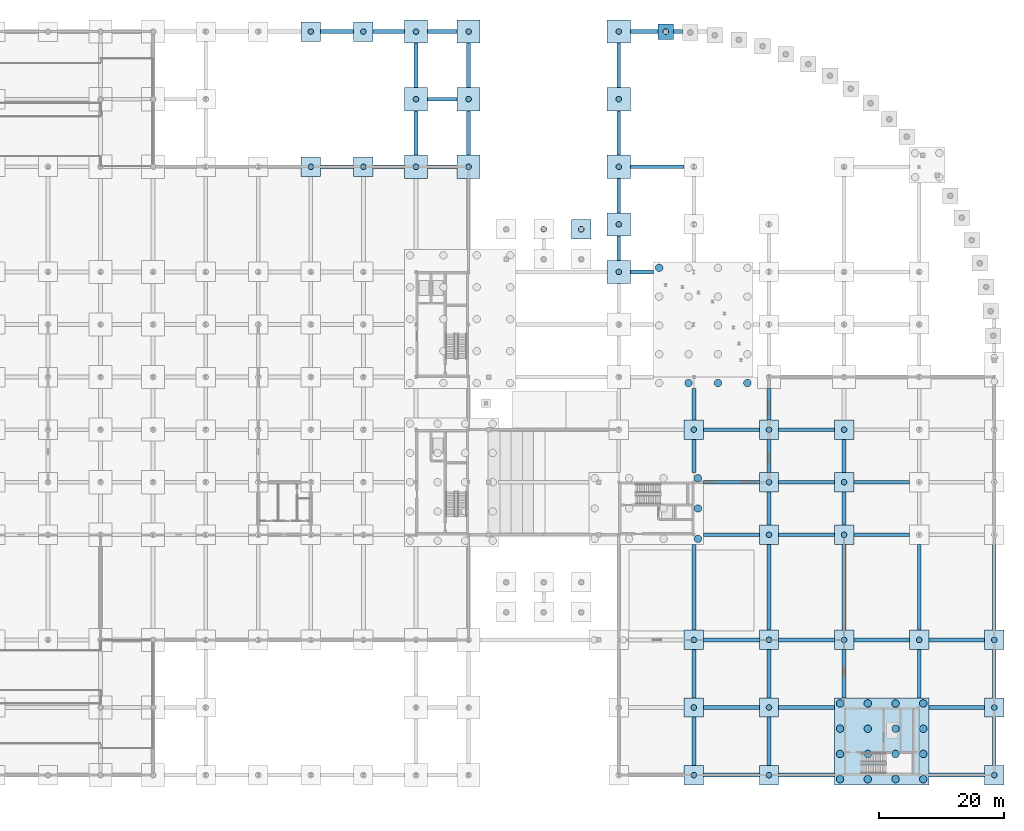
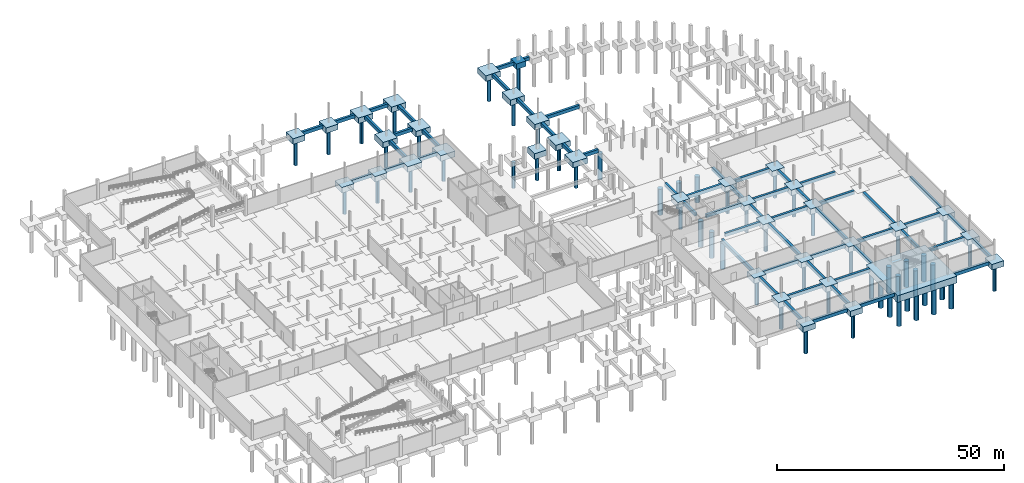
# One storey, part 5 of 36: 93 footings, 59 piles.
"""IFC4 building model written with IfcOpenShell, lengths in metres."""

from ifc_helpers import new_model, si_unit, direction, frame, origin, origin_2d, place, context, subcontext, project, spatial, rectangle, circle, extrude, material, material_profile, profile_set, type_object, element, save


model = new_model("IFC4")

# Units and contexts
model_context = context("Model", 3, precision=1e-05, world=origin(), true_north=direction((0.0, 1.0)))
body_context = subcontext(model_context, "Body", "Model", "MODEL_VIEW")
ifc_project = project(units=[si_unit("LENGTHUNIT", "METRE"), si_unit("AREAUNIT", "SQUARE_METRE"), si_unit("VOLUMEUNIT", "CUBIC_METRE"), si_unit("PLANEANGLEUNIT", "RADIAN"), si_unit("MASSUNIT", "GRAM", prefix="KILO"), si_unit("THERMODYNAMICTEMPERATUREUNIT", "KELVIN"), si_unit("POWERUNIT", "WATT")], contexts=[model_context])

# Site, building, storey
site_placement = place(None, origin())
site = spatial("IfcSite", under=ifc_project, at=site_placement, CompositionType="ELEMENT")
building_placement = place(site_placement, origin())
building = spatial("IfcBuilding", under=site, at=building_placement, Name="Tembeka Court Mobility Hub", CompositionType="ELEMENT")
storey_placement = place(building_placement, frame((0.0, 0.0, -5.39990234375)))
storey = spatial("IfcBuildingStorey", under=building, at=storey_placement, Name="B1", CompositionType="ELEMENT", Elevation=-5.39990234375)

# Footings
ifc_material = material(Name="Concrete C40/50", Category="concrete")
footing_type_1 = type_object("IfcFootingType", Name="FT-GB01", PredefinedType="FOOTING_BEAM", material=ifc_material)
for number, where, z_axis, x_axis, name in (
    (1, (134.39990234375, 0.0, -0.900146484375), (0.0, 0.0, 1.0), (1.0, 0.0, 0.0), "Ground tie beam GB01 X-013"),
    (2, (146.39990234375, 0.0, -0.900146484375), (0.0, 0.0, 1.0), (1.0, 0.0, 0.0), "Ground tie beam GB01 X-014"),
    (3, (170.39990234375, 0.0, -0.900146484375), (0.0, 0.0, 1.0), (1.0, 0.0, 0.0), "Ground tie beam GB01 X-015"),
    (4, (134.39990234375, 10.800048828125, -0.900146484375), (0.0, 0.0, 1.0), (1.0, 0.0, 0.0), "Ground tie beam GB01 X-023"),
    (5, (146.39990234375, 10.800048828125, -0.900146484375), (0.0, 0.0, 1.0), (1.0, 0.0, 0.0), "Ground tie beam GB01 X-024"),
    (6, (170.39990234375, 10.800048828125, -0.900146484375), (0.0, 0.0, 1.0), (1.0, 0.0, 0.0), "Ground tie beam GB01 X-025"),
    (7, (134.39990234375, 21.60009765625, -0.900146484375), (0.0, 0.0, 1.0), (1.0, 0.0, 0.0), "Ground tie beam GB01 X-039"),
    (8, (146.39990234375, 21.60009765625, -0.900146484375), (0.0, 0.0, 1.0), (1.0, 0.0, 0.0), "Ground tie beam GB01 X-040"),
    (9, (158.39990234375, 21.60009765625, -0.900146484375), (0.0, 0.0, 1.0), (1.0, 0.0, 0.0), "Ground tie beam GB01 X-041"),
    (10, (170.39990234375, 21.60009765625, -0.900146484375), (0.0, 0.0, 1.0), (1.0, 0.0, 0.0), "Ground tie beam GB01 X-042"),
    (11, (134.39990234375, 38.39990234375, -0.900146484375), (0.0, 0.0, 1.0), (1.0, 0.0, 0.0), "Ground tie beam GB01 X-053"),
    (12, (146.39990234375, 38.39990234375, -0.900146484375), (0.0, 0.0, 1.0), (1.0, 0.0, 0.0), "Ground tie beam GB01 X-054"),
    (13, (158.39990234375, 38.39990234375, -0.900146484375), (0.0, 0.0, 1.0), (1.0, 0.0, 0.0), "Ground tie beam GB01 X-055"),
    (14, (134.39990234375, 46.800048828125, -0.900146484375), (0.0, 0.0, 1.0), (1.0, 0.0, 0.0), "Ground tie beam GB01 X-067"),
    (15, (146.39990234375, 46.800048828125, -0.900146484375), (0.0, 0.0, 1.0), (1.0, 0.0, 0.0), "Ground tie beam GB01 X-068"),
    (16, (158.39990234375, 46.800048828125, -0.900146484375), (0.0, 0.0, 1.0), (1.0, 0.0, 0.0), "Ground tie beam GB01 X-069"),
    (17, (134.39990234375, 55.199951171875, -0.900146484375), (0.0, 0.0, 1.0), (1.0, 0.0, 0.0), "Ground tie beam GB01 X-082"),
    (18, (146.39990234375, 55.199951171875, -0.900146484375), (0.0, 0.0, 1.0), (1.0, 0.0, 0.0), "Ground tie beam GB01 X-083"),
):
    element("IfcFooting", number, at=place(storey_placement, frame(where, z_axis=z_axis, x_axis=x_axis)), inside=storey, type_object=footing_type_1, Name=name, PredefinedType="FOOTING_BEAM", context=body_context, shape_type="SweptSolid", body=[
        extrude(rectangle(XDim=8.89990234375, YDim=0.60009765625, at=origin_2d()), origin(), (0.0, 0.0, 1.0), 0.89990234375),
    ])
footing_1_placement = place(storey_placement, frame((120.10009765625, 80.39990234375, -0.900146484375), z_axis=(0.0, 0.0, 1.0), x_axis=(1.0, 0.0, 0.0)))
element("IfcFooting", 19, at=footing_1_placement, inside=storey, type_object=footing_type_1, Name="Ground tie beam GB01 X-124", PredefinedType="FOOTING_BEAM", context=body_context, shape_type="SweptSolid", body=[
    extrude(rectangle(XDim=3.699951171875, YDim=0.60009765625, at=origin_2d()), origin(), (0.0, 0.0, 1.0), 0.89990234375),
])
footing_2_placement = place(storey_placement, frame((71.39990234375, 97.199951171875, -0.900146484375), z_axis=(0.0, 0.0, 1.0), x_axis=(1.0, 0.0, 0.0)))
element("IfcFooting", 20, at=footing_2_placement, inside=storey, type_object=footing_type_1, Name="Ground tie beam GB01 X-136", PredefinedType="FOOTING_BEAM", context=body_context, shape_type="SweptSolid", body=[
    extrude(rectangle(XDim=5.300048828125, YDim=0.60009765625, at=origin_2d()), origin(), (0.0, 0.0, 1.0), 0.89990234375),
])
footing_3_placement = place(storey_placement, frame((79.64990234375, 97.199951171875, -0.900146484375), z_axis=(0.0, 0.0, 1.0), x_axis=(1.0, 0.0, 0.0)))
element("IfcFooting", 21, at=footing_3_placement, inside=storey, type_object=footing_type_1, Name="Ground tie beam GB01 X-137", PredefinedType="FOOTING_BEAM", context=body_context, shape_type="SweptSolid", body=[
    extrude(rectangle(XDim=5.0, YDim=0.60009765625, at=origin_2d()), origin(), (0.0, 0.0, 1.0), 0.89990234375),
])
footing_4_placement = place(storey_placement, frame((88.199951171875, 97.199951171875, -0.900146484375), z_axis=(0.0, 0.0, 1.0), x_axis=(1.0, 0.0, 0.0)))
element("IfcFooting", 22, at=footing_4_placement, inside=storey, type_object=footing_type_1, Name="Ground tie beam GB01 X-138", PredefinedType="FOOTING_BEAM", context=body_context, shape_type="SweptSolid", body=[
    extrude(rectangle(XDim=4.699951171875, YDim=0.60009765625, at=origin_2d()), origin(), (0.0, 0.0, 1.0), 0.89990234375),
])
footing_5_placement = place(storey_placement, frame((122.550048828125, 97.199951171875, -0.900146484375), z_axis=(0.0, 0.0, 1.0), x_axis=(1.0, 0.0, 0.0)))
element("IfcFooting", 23, at=footing_5_placement, inside=storey, type_object=footing_type_1, Name="Ground tie beam GB01 X-139", PredefinedType="FOOTING_BEAM", context=body_context, shape_type="SweptSolid", body=[
    extrude(rectangle(XDim=8.60009765625, YDim=0.60009765625, at=origin_2d()), origin(), (0.0, 0.0, 1.0), 0.89990234375),
])
footing_6_placement = place(storey_placement, frame((88.199951171875, 108.0, -0.900146484375), z_axis=(0.0, 0.0, 1.0), x_axis=(1.0, 0.0, 0.0)))
element("IfcFooting", 24, at=footing_6_placement, inside=storey, type_object=footing_type_1, Name="Ground tie beam GB01 X-146", PredefinedType="FOOTING_BEAM", context=body_context, shape_type="SweptSolid", body=[
    extrude(rectangle(XDim=4.699951171875, YDim=0.60009765625, at=origin_2d()), origin(), (0.0, 0.0, 1.0), 0.89990234375),
])
footing_7_placement = place(storey_placement, frame((71.39990234375, 118.800048828125, -0.900146484375), z_axis=(0.0, 0.0, 1.0), x_axis=(1.0, 0.0, 0.0)))
element("IfcFooting", 25, at=footing_7_placement, inside=storey, type_object=footing_type_1, Name="Ground tie beam GB01 X-155", PredefinedType="FOOTING_BEAM", context=body_context, shape_type="SweptSolid", body=[
    extrude(rectangle(XDim=5.300048828125, YDim=0.60009765625, at=origin_2d()), origin(), (0.0, 0.0, 1.0), 0.89990234375),
])
footing_8_placement = place(storey_placement, frame((79.64990234375, 118.800048828125, -0.900146484375), z_axis=(0.0, 0.0, 1.0), x_axis=(1.0, 0.0, 0.0)))
element("IfcFooting", 26, at=footing_8_placement, inside=storey, type_object=footing_type_1, Name="Ground tie beam GB01 X-156", PredefinedType="FOOTING_BEAM", context=body_context, shape_type="SweptSolid", body=[
    extrude(rectangle(XDim=5.0, YDim=0.60009765625, at=origin_2d()), origin(), (0.0, 0.0, 1.0), 0.89990234375),
])
footing_9_placement = place(storey_placement, frame((88.199951171875, 118.800048828125, -0.900146484375), z_axis=(0.0, 0.0, 1.0), x_axis=(1.0, 0.0, 0.0)))
element("IfcFooting", 27, at=footing_9_placement, inside=storey, type_object=footing_type_1, Name="Ground tie beam GB01 X-157", PredefinedType="FOOTING_BEAM", context=body_context, shape_type="SweptSolid", body=[
    extrude(rectangle(XDim=4.699951171875, YDim=0.60009765625, at=origin_2d()), origin(), (0.0, 0.0, 1.0), 0.89990234375),
])
footing_10_placement = place(storey_placement, frame((120.449951171875, 118.800048828125, -0.900146484375), z_axis=(0.0, 0.0, 1.0), x_axis=(1.0, 0.0, 0.0)))
element("IfcFooting", 28, at=footing_10_placement, inside=storey, type_object=footing_type_1, Name="Ground tie beam GB01 X-158", PredefinedType="FOOTING_BEAM", context=body_context, shape_type="SweptSolid", body=[
    extrude(rectangle(XDim=4.39990234375, YDim=0.60009765625, at=origin_2d()), origin(), (0.0, 0.0, 1.0), 0.89990234375),
])
footing_11_placement = place(storey_placement, frame((125.861572265625, 118.800048828125, -0.900146484375), z_axis=(0.0, 0.0, 1.0), x_axis=(1.0, 0.0, 0.0)))
element("IfcFooting", 29, at=footing_11_placement, inside=storey, type_object=footing_type_1, Name="Ground tie beam GB01 X-159", PredefinedType="FOOTING_BEAM", context=body_context, shape_type="SweptSolid", body=[
    extrude(rectangle(XDim=1.423095703125, YDim=0.60009765625, at=origin_2d()), origin(), (0.0, 0.0, 1.0), 0.89990234375),
])
for number, where, z_axis, x_axis, name in (
    (30, (84.0, 102.60009765625, -0.900146484375), (0.0, 0.0, 1.0), (0.0, 1.0, 0.0), "Ground tie beam GB01 Y-252"),
    (31, (84.0, 113.39990234375, -0.900146484375), (0.0, 0.0, 1.0), (0.0, 1.0, 0.0), "Ground tie beam GB01 Y-253"),
    (32, (92.39990234375, 102.60009765625, -0.900146484375), (0.0, 0.0, 1.0), (0.0, 1.0, 0.0), "Ground tie beam GB01 Y-259"),
    (33, (92.39990234375, 113.39990234375, -0.900146484375), (0.0, 0.0, 1.0), (0.0, 1.0, 0.0), "Ground tie beam GB01 Y-260"),
):
    element("IfcFooting", number, at=place(storey_placement, frame(where, z_axis=z_axis, x_axis=x_axis)), inside=storey, type_object=footing_type_1, Name=name, PredefinedType="FOOTING_BEAM", context=body_context, shape_type="SweptSolid", body=[
        extrude(rectangle(XDim=7.10009765625, YDim=0.60009765625, at=origin_2d()), origin(), (0.0, 0.0, 1.0), 0.89990234375),
    ])
footing_12_placement = place(storey_placement, frame((116.39990234375, 84.199951171875, -0.900146484375), z_axis=(0.0, 0.0, 1.0), x_axis=(0.0, 1.0, 0.0)))
element("IfcFooting", 34, at=footing_12_placement, inside=storey, type_object=footing_type_1, Name="Ground tie beam GB01 Y-270", PredefinedType="FOOTING_BEAM", context=body_context, shape_type="SweptSolid", body=[
    extrude(rectangle(XDim=3.89990234375, YDim=0.60009765625, at=origin_2d()), origin(), (0.0, 0.0, 1.0), 0.89990234375),
])
footing_13_placement = place(storey_placement, frame((116.39990234375, 92.60009765625, -0.900146484375), z_axis=(0.0, 0.0, 1.0), x_axis=(0.0, 1.0, 0.0)))
element("IfcFooting", 35, at=footing_13_placement, inside=storey, type_object=footing_type_1, Name="Ground tie beam GB01 Y-271", PredefinedType="FOOTING_BEAM", context=body_context, shape_type="SweptSolid", body=[
    extrude(rectangle(XDim=5.5, YDim=0.60009765625, at=origin_2d()), origin(), (0.0, 0.0, 1.0), 0.89990234375),
])
for number, where, z_axis, x_axis, name in (
    (36, (116.39990234375, 102.60009765625, -0.900146484375), (0.0, 0.0, 1.0), (0.0, 1.0, 0.0), "Ground tie beam GB01 Y-272"),
    (37, (116.39990234375, 113.39990234375, -0.900146484375), (0.0, 0.0, 1.0), (0.0, 1.0, 0.0), "Ground tie beam GB01 Y-273"),
):
    element("IfcFooting", number, at=place(storey_placement, frame(where, z_axis=z_axis, x_axis=x_axis)), inside=storey, type_object=footing_type_1, Name=name, PredefinedType="FOOTING_BEAM", context=body_context, shape_type="SweptSolid", body=[
        extrude(rectangle(XDim=7.10009765625, YDim=0.60009765625, at=origin_2d()), origin(), (0.0, 0.0, 1.0), 0.89990234375),
    ])
for number, where, z_axis, x_axis, name in (
    (38, (128.39990234375, 5.39990234375, -0.900146484375), (0.0, 0.0, 1.0), (0.0, 1.0, 0.0), "Ground tie beam GB01 Y-274"),
    (39, (128.39990234375, 16.199951171875, -0.900146484375), (0.0, 0.0, 1.0), (0.0, 1.0, 0.0), "Ground tie beam GB01 Y-275"),
):
    element("IfcFooting", number, at=place(storey_placement, frame(where, z_axis=z_axis, x_axis=x_axis)), inside=storey, type_object=footing_type_1, Name=name, PredefinedType="FOOTING_BEAM", context=body_context, shape_type="SweptSolid", body=[
        extrude(rectangle(XDim=7.699951171875, YDim=0.60009765625, at=origin_2d()), origin(), (0.0, 0.0, 1.0), 0.89990234375),
    ])
footing_14_placement = place(storey_placement, frame((128.39990234375, 30.0, -0.900146484375), z_axis=(0.0, 0.0, 1.0), x_axis=(0.0, 1.0, 0.0)))
element("IfcFooting", 40, at=footing_14_placement, inside=storey, type_object=footing_type_1, Name="Ground tie beam GB01 Y-276", PredefinedType="FOOTING_BEAM", context=body_context, shape_type="SweptSolid", body=[
    extrude(rectangle(XDim=13.699951171875, YDim=0.60009765625, at=origin_2d()), origin(), (0.0, 0.0, 1.0), 0.89990234375),
])
footing_15_placement = place(storey_placement, frame((128.39990234375, 51.0, -0.900146484375), z_axis=(0.0, 0.0, 1.0), x_axis=(0.0, 1.0, 0.0)))
element("IfcFooting", 41, at=footing_15_placement, inside=storey, type_object=footing_type_1, Name="Ground tie beam GB01 Y-277", PredefinedType="FOOTING_BEAM", context=body_context, shape_type="SweptSolid", body=[
    extrude(rectangle(XDim=5.300048828125, YDim=0.60009765625, at=origin_2d()), origin(), (0.0, 0.0, 1.0), 0.89990234375),
])
footing_16_placement = place(storey_placement, frame((128.39990234375, 59.25, -0.900146484375), z_axis=(0.0, 0.0, 1.0), x_axis=(0.0, 1.0, 0.0)))
element("IfcFooting", 42, at=footing_16_placement, inside=storey, type_object=footing_type_1, Name="Ground tie beam GB01 Y-278", PredefinedType="FOOTING_BEAM", context=body_context, shape_type="SweptSolid", body=[
    extrude(rectangle(XDim=5.0, YDim=0.60009765625, at=origin_2d()), origin(), (0.0, 0.0, 1.0), 0.89990234375),
])
for number, where, z_axis, x_axis, name in (
    (43, (140.39990234375, 5.39990234375, -0.900146484375), (0.0, 0.0, 1.0), (0.0, 1.0, 0.0), "Ground tie beam GB01 Y-281"),
    (44, (140.39990234375, 16.199951171875, -0.900146484375), (0.0, 0.0, 1.0), (0.0, 1.0, 0.0), "Ground tie beam GB01 Y-282"),
):
    element("IfcFooting", number, at=place(storey_placement, frame(where, z_axis=z_axis, x_axis=x_axis)), inside=storey, type_object=footing_type_1, Name=name, PredefinedType="FOOTING_BEAM", context=body_context, shape_type="SweptSolid", body=[
        extrude(rectangle(XDim=7.699951171875, YDim=0.60009765625, at=origin_2d()), origin(), (0.0, 0.0, 1.0), 0.89990234375),
    ])
footing_17_placement = place(storey_placement, frame((140.39990234375, 30.0, -0.900146484375), z_axis=(0.0, 0.0, 1.0), x_axis=(0.0, 1.0, 0.0)))
element("IfcFooting", 45, at=footing_17_placement, inside=storey, type_object=footing_type_1, Name="Ground tie beam GB01 Y-283", PredefinedType="FOOTING_BEAM", context=body_context, shape_type="SweptSolid", body=[
    extrude(rectangle(XDim=13.699951171875, YDim=0.60009765625, at=origin_2d()), origin(), (0.0, 0.0, 1.0), 0.89990234375),
])
for number, where, z_axis, x_axis, name in (
    (46, (140.39990234375, 42.60009765625, -0.900146484375), (0.0, 0.0, 1.0), (0.0, 1.0, 0.0), "Ground tie beam GB01 Y-284"),
    (47, (140.39990234375, 51.0, -0.900146484375), (0.0, 0.0, 1.0), (0.0, 1.0, 0.0), "Ground tie beam GB01 Y-285"),
):
    element("IfcFooting", number, at=place(storey_placement, frame(where, z_axis=z_axis, x_axis=x_axis)), inside=storey, type_object=footing_type_1, Name=name, PredefinedType="FOOTING_BEAM", context=body_context, shape_type="SweptSolid", body=[
        extrude(rectangle(XDim=5.300048828125, YDim=0.60009765625, at=origin_2d()), origin(), (0.0, 0.0, 1.0), 0.89990234375),
    ])
footing_18_placement = place(storey_placement, frame((140.39990234375, 59.25, -0.900146484375), z_axis=(0.0, 0.0, 1.0), x_axis=(0.0, 1.0, 0.0)))
element("IfcFooting", 48, at=footing_18_placement, inside=storey, type_object=footing_type_1, Name="Ground tie beam GB01 Y-286", PredefinedType="FOOTING_BEAM", context=body_context, shape_type="SweptSolid", body=[
    extrude(rectangle(XDim=5.0, YDim=0.60009765625, at=origin_2d()), origin(), (0.0, 0.0, 1.0), 0.89990234375),
])
footing_19_placement = place(storey_placement, frame((152.39990234375, 16.199951171875, -0.900146484375), z_axis=(0.0, 0.0, 1.0), x_axis=(0.0, 1.0, 0.0)))
element("IfcFooting", 49, at=footing_19_placement, inside=storey, type_object=footing_type_1, Name="Ground tie beam GB01 Y-290", PredefinedType="FOOTING_BEAM", context=body_context, shape_type="SweptSolid", body=[
    extrude(rectangle(XDim=7.699951171875, YDim=0.60009765625, at=origin_2d()), origin(), (0.0, 0.0, 1.0), 0.89990234375),
])
footing_20_placement = place(storey_placement, frame((152.39990234375, 30.0, -0.900146484375), z_axis=(0.0, 0.0, 1.0), x_axis=(0.0, 1.0, 0.0)))
element("IfcFooting", 50, at=footing_20_placement, inside=storey, type_object=footing_type_1, Name="Ground tie beam GB01 Y-291", PredefinedType="FOOTING_BEAM", context=body_context, shape_type="SweptSolid", body=[
    extrude(rectangle(XDim=13.699951171875, YDim=0.60009765625, at=origin_2d()), origin(), (0.0, 0.0, 1.0), 0.89990234375),
])
for number, where, z_axis, x_axis, name in (
    (51, (152.39990234375, 42.60009765625, -0.900146484375), (0.0, 0.0, 1.0), (0.0, 1.0, 0.0), "Ground tie beam GB01 Y-292"),
    (52, (152.39990234375, 51.0, -0.900146484375), (0.0, 0.0, 1.0), (0.0, 1.0, 0.0), "Ground tie beam GB01 Y-293"),
):
    element("IfcFooting", number, at=place(storey_placement, frame(where, z_axis=z_axis, x_axis=x_axis)), inside=storey, type_object=footing_type_1, Name=name, PredefinedType="FOOTING_BEAM", context=body_context, shape_type="SweptSolid", body=[
        extrude(rectangle(XDim=5.300048828125, YDim=0.60009765625, at=origin_2d()), origin(), (0.0, 0.0, 1.0), 0.89990234375),
    ])
footing_21_placement = place(storey_placement, frame((164.39990234375, 16.199951171875, -0.900146484375), z_axis=(0.0, 0.0, 1.0), x_axis=(0.0, 1.0, 0.0)))
element("IfcFooting", 53, at=footing_21_placement, inside=storey, type_object=footing_type_1, Name="Ground tie beam GB01 Y-298", PredefinedType="FOOTING_BEAM", context=body_context, shape_type="SweptSolid", body=[
    extrude(rectangle(XDim=7.699951171875, YDim=0.60009765625, at=origin_2d()), origin(), (0.0, 0.0, 1.0), 0.89990234375),
])
footing_22_placement = place(storey_placement, frame((164.39990234375, 30.0, -0.900146484375), z_axis=(0.0, 0.0, 1.0), x_axis=(0.0, 1.0, 0.0)))
element("IfcFooting", 54, at=footing_22_placement, inside=storey, type_object=footing_type_1, Name="Ground tie beam GB01 Y-299", PredefinedType="FOOTING_BEAM", context=body_context, shape_type="SweptSolid", body=[
    extrude(rectangle(XDim=13.699951171875, YDim=0.60009765625, at=origin_2d()), origin(), (0.0, 0.0, 1.0), 0.89990234375),
])
for number, where, z_axis, x_axis, name in (
    (55, (176.39990234375, 5.39990234375, -0.900146484375), (0.0, 0.0, 1.0), (0.0, 1.0, 0.0), "Ground tie beam GB01 Y-306"),
    (56, (176.39990234375, 16.199951171875, -0.900146484375), (0.0, 0.0, 1.0), (0.0, 1.0, 0.0), "Ground tie beam GB01 Y-307"),
):
    element("IfcFooting", number, at=place(storey_placement, frame(where, z_axis=z_axis, x_axis=x_axis)), inside=storey, type_object=footing_type_1, Name=name, PredefinedType="FOOTING_BEAM", context=body_context, shape_type="SweptSolid", body=[
        extrude(rectangle(XDim=7.699951171875, YDim=0.60009765625, at=origin_2d()), origin(), (0.0, 0.0, 1.0), 0.89990234375),
    ])
footing_23_placement = place(storey_placement, frame((176.39990234375, 30.0, -0.900146484375), z_axis=(0.0, 0.0, 1.0), x_axis=(0.0, 1.0, 0.0)))
element("IfcFooting", 57, at=footing_23_placement, inside=storey, type_object=footing_type_1, Name="Ground tie beam GB01 Y-308", PredefinedType="FOOTING_BEAM", context=body_context, shape_type="SweptSolid", body=[
    extrude(rectangle(XDim=13.699951171875, YDim=0.60009765625, at=origin_2d()), origin(), (0.0, 0.0, 1.0), 0.89990234375),
])
footing_type_2 = type_object("IfcFootingType", Name="FT-PC01", PredefinedType="PILE_CAP", material=ifc_material)
for number, where, z_axis, x_axis, name in (
    (58, (84.0, 97.199951171875, -1.5), (0.0, 0.0, 1.0), (1.0, 0.0, 0.0), "Pile cap PC01 (108)"),
    (59, (84.0, 108.0, -1.5), (0.0, 0.0, 1.0), (1.0, 0.0, 0.0), "Pile cap PC01 (109)"),
    (60, (84.0, 118.800048828125, -1.5), (0.0, 0.0, 1.0), (1.0, 0.0, 0.0), "Pile cap PC01 (110)"),
    (61, (92.39990234375, 97.199951171875, -1.5), (0.0, 0.0, 1.0), (1.0, 0.0, 0.0), "Pile cap PC01 (114)"),
    (62, (92.39990234375, 108.0, -1.5), (0.0, 0.0, 1.0), (1.0, 0.0, 0.0), "Pile cap PC01 (115)"),
    (63, (92.39990234375, 118.800048828125, -1.5), (0.0, 0.0, 1.0), (1.0, 0.0, 0.0), "Pile cap PC01 (116)"),
    (64, (116.39990234375, 80.39990234375, -1.5), (0.0, 0.0, 1.0), (1.0, 0.0, 0.0), "Pile cap PC01 (132)"),
    (65, (116.39990234375, 88.0, -1.5), (0.0, 0.0, 1.0), (1.0, 0.0, 0.0), "Pile cap PC01 (133)"),
    (66, (116.39990234375, 97.199951171875, -1.5), (0.0, 0.0, 1.0), (1.0, 0.0, 0.0), "Pile cap PC01 (134)"),
    (67, (116.39990234375, 108.0, -1.5), (0.0, 0.0, 1.0), (1.0, 0.0, 0.0), "Pile cap PC01 (135)"),
    (68, (116.39990234375, 118.800048828125, -1.5), (0.0, 0.0, 1.0), (1.0, 0.0, 0.0), "Pile cap PC01 (136)"),
):
    element("IfcFooting", number, at=place(storey_placement, frame(where, z_axis=z_axis, x_axis=x_axis)), inside=storey, type_object=footing_type_2, Name=name, PredefinedType="PILE_CAP", context=body_context, shape_type="SweptSolid", body=[
        extrude(rectangle(XDim=3.699951171875, YDim=3.699951171875, at=origin_2d()), origin(), (0.0, 0.0, 1.0), 1.5),
    ])
footing_type_3 = type_object("IfcFootingType", Name="FT-PC03", PredefinedType="PILE_CAP", material=ifc_material)
for number, where, z_axis, x_axis, name in (
    (69, (67.199951171875, 97.199951171875, -1.5), (0.0, 0.0, 1.0), (1.0, 0.0, 0.0), "Pile cap PC03 (91)"),
    (70, (67.199951171875, 118.800048828125, -1.5), (0.0, 0.0, 1.0), (1.0, 0.0, 0.0), "Pile cap PC03 (92)"),
    (71, (75.60009765625, 97.199951171875, -1.5), (0.0, 0.0, 1.0), (1.0, 0.0, 0.0), "Pile cap PC03 (101)"),
    (72, (75.60009765625, 118.800048828125, -1.5), (0.0, 0.0, 1.0), (1.0, 0.0, 0.0), "Pile cap PC03 (102)"),
    (73, (110.39990234375, 87.199951171875, -1.5), (0.0, 0.0, 1.0), (1.0, 0.0, 0.0), "Pile cap PC03 (127)"),
    (74, (128.39990234375, 0.0, -1.5), (0.0, 0.0, 1.0), (1.0, 0.0, 0.0), "Pile cap PC03 (143)"),
    (75, (128.39990234375, 10.800048828125, -1.5), (0.0, 0.0, 1.0), (1.0, 0.0, 0.0), "Pile cap PC03 (144)"),
    (76, (128.39990234375, 21.60009765625, -1.5), (0.0, 0.0, 1.0), (1.0, 0.0, 0.0), "Pile cap PC03 (145)"),
    (77, (128.39990234375, 55.199951171875, -1.5), (0.0, 0.0, 1.0), (1.0, 0.0, 0.0), "Pile cap PC03 (146)"),
    (78, (140.39990234375, 0.0, -1.5), (0.0, 0.0, 1.0), (1.0, 0.0, 0.0), "Pile cap PC03 (153)"),
    (79, (140.39990234375, 10.800048828125, -1.5), (0.0, 0.0, 1.0), (1.0, 0.0, 0.0), "Pile cap PC03 (154)"),
    (80, (140.39990234375, 21.60009765625, -1.5), (0.0, 0.0, 1.0), (1.0, 0.0, 0.0), "Pile cap PC03 (155)"),
    (81, (140.39990234375, 38.39990234375, -1.5), (0.0, 0.0, 1.0), (1.0, 0.0, 0.0), "Pile cap PC03 (156)"),
    (82, (140.39990234375, 46.800048828125, -1.5), (0.0, 0.0, 1.0), (1.0, 0.0, 0.0), "Pile cap PC03 (157)"),
    (83, (140.39990234375, 55.199951171875, -1.5), (0.0, 0.0, 1.0), (1.0, 0.0, 0.0), "Pile cap PC03 (158)"),
    (84, (152.39990234375, 21.60009765625, -1.5), (0.0, 0.0, 1.0), (1.0, 0.0, 0.0), "Pile cap PC03 (167)"),
    (85, (152.39990234375, 38.39990234375, -1.5), (0.0, 0.0, 1.0), (1.0, 0.0, 0.0), "Pile cap PC03 (168)"),
    (86, (152.39990234375, 46.800048828125, -1.5), (0.0, 0.0, 1.0), (1.0, 0.0, 0.0), "Pile cap PC03 (169)"),
    (87, (152.39990234375, 55.199951171875, -1.5), (0.0, 0.0, 1.0), (1.0, 0.0, 0.0), "Pile cap PC03 (170)"),
    (88, (164.39990234375, 21.60009765625, -1.5), (0.0, 0.0, 1.0), (1.0, 0.0, 0.0), "Pile cap PC03 (179)"),
    (89, (176.39990234375, 0.0, -1.5), (0.0, 0.0, 1.0), (1.0, 0.0, 0.0), "Pile cap PC03 (192)"),
    (90, (176.39990234375, 10.800048828125, -1.5), (0.0, 0.0, 1.0), (1.0, 0.0, 0.0), "Pile cap PC03 (193)"),
    (91, (176.39990234375, 21.60009765625, -1.5), (0.0, 0.0, 1.0), (1.0, 0.0, 0.0), "Pile cap PC03 (194)"),
):
    element("IfcFooting", number, at=place(storey_placement, frame(where, z_axis=z_axis, x_axis=x_axis)), inside=storey, type_object=footing_type_3, Name=name, PredefinedType="PILE_CAP", context=body_context, shape_type="SweptSolid", body=[
        extrude(rectangle(XDim=3.10009765625, YDim=3.10009765625, at=origin_2d()), origin(), (0.0, 0.0, 1.0), 1.5),
    ])
footing_type_4 = type_object("IfcFootingType", Name="FT-PC09", PredefinedType="PILE_CAP", material=ifc_material)
footing_24_placement = place(storey_placement, frame((123.89990234375, 118.800048828125, -1.5), z_axis=(0.0, 0.0, 1.0), x_axis=(1.0, 0.0, 0.0)))
element("IfcFooting", 92, at=footing_24_placement, inside=storey, type_object=footing_type_4, Name="Pile cap PC09 (141)", PredefinedType="PILE_CAP", context=body_context, shape_type="SweptSolid", body=[
    extrude(rectangle(XDim=2.5, YDim=2.5, at=origin_2d()), origin(), (0.0, 0.0, 1.0), 1.5),
])
footing_type_5 = type_object("IfcFootingType", Name="FT-PC10", PredefinedType="PILE_CAP", material=ifc_material)
footing_25_placement = place(storey_placement, frame((158.39990234375, 5.39990234375, -1.80029296875), z_axis=(0.0, 0.0, 1.0), x_axis=(1.0, 0.0, 0.0)))
element("IfcFooting", 93, at=footing_25_placement, inside=storey, type_object=footing_type_5, Name="Pile cap PC10 (166)", PredefinedType="PILE_CAP", context=body_context, shape_type="SweptSolid", body=[
    extrude(rectangle(XDim=15.10009765625, YDim=13.89990234375, at=origin_2d()), origin(), (0.0, 0.0, 1.0), 1.800048828125),
])

# Piles
ifc_material_profile_1 = material_profile(ifc_material, circle(Radius=0.449951171875, at=origin_2d()), Name="PILE D900")
ifc_profile_set_1 = profile_set([ifc_material_profile_1], Name="Concrete C40/50")
pile_type_1 = type_object("IfcPileType", Name="PILE-P02", PredefinedType="BORED", material=ifc_profile_set_1)
for number, where, z_axis, x_axis, name in (
    (94, (67.199951171875, 97.199951171875, -1.400146484375), (0.0, 0.0, -1.0), (1.0, 0.0, 0.0), "Bored pile P02 under CAP-091"),
    (95, (67.199951171875, 118.800048828125, -1.400146484375), (0.0, 0.0, -1.0), (1.0, 0.0, 0.0), "Bored pile P02 under CAP-092"),
    (96, (75.60009765625, 97.199951171875, -1.400146484375), (0.0, 0.0, -1.0), (1.0, 0.0, 0.0), "Bored pile P02 under CAP-101"),
    (97, (75.60009765625, 118.800048828125, -1.400146484375), (0.0, 0.0, -1.0), (1.0, 0.0, 0.0), "Bored pile P02 under CAP-102"),
    (98, (84.0, 97.199951171875, -1.400146484375), (0.0, 0.0, -1.0), (1.0, 0.0, 0.0), "Bored pile P02 under CAP-108"),
    (99, (84.0, 108.0, -1.400146484375), (0.0, 0.0, -1.0), (1.0, 0.0, 0.0), "Bored pile P02 under CAP-109"),
    (100, (84.0, 118.800048828125, -1.400146484375), (0.0, 0.0, -1.0), (1.0, 0.0, 0.0), "Bored pile P02 under CAP-110"),
    (101, (92.39990234375, 97.199951171875, -1.400146484375), (0.0, 0.0, -1.0), (1.0, 0.0, 0.0), "Bored pile P02 under CAP-114"),
    (102, (92.39990234375, 108.0, -1.400146484375), (0.0, 0.0, -1.0), (1.0, 0.0, 0.0), "Bored pile P02 under CAP-115"),
    (103, (92.39990234375, 118.800048828125, -1.400146484375), (0.0, 0.0, -1.0), (1.0, 0.0, 0.0), "Bored pile P02 under CAP-116"),
    (104, (104.39990234375, 87.199951171875, -1.400146484375), (0.0, 0.0, -1.0), (1.0, 0.0, 0.0), "Bored pile P02 under CAP-123"),
    (105, (110.39990234375, 87.199951171875, -1.400146484375), (0.0, 0.0, -1.0), (1.0, 0.0, 0.0), "Bored pile P02 under CAP-127"),
    (106, (116.39990234375, 80.39990234375, -1.400146484375), (0.0, 0.0, -1.0), (1.0, 0.0, 0.0), "Bored pile P02 under CAP-132"),
    (107, (116.39990234375, 88.0, -1.400146484375), (0.0, 0.0, -1.0), (1.0, 0.0, 0.0), "Bored pile P02 under CAP-133"),
    (108, (116.39990234375, 97.199951171875, -1.400146484375), (0.0, 0.0, -1.0), (1.0, 0.0, 0.0), "Bored pile P02 under CAP-134"),
    (109, (116.39990234375, 108.0, -1.400146484375), (0.0, 0.0, -1.0), (1.0, 0.0, 0.0), "Bored pile P02 under CAP-135"),
    (110, (116.39990234375, 118.800048828125, -1.400146484375), (0.0, 0.0, -1.0), (1.0, 0.0, 0.0), "Bored pile P02 under CAP-136"),
    (111, (123.89990234375, 118.800048828125, -1.400146484375), (0.0, 0.0, -1.0), (1.0, 0.0, 0.0), "Bored pile P02 under CAP-141"),
    (112, (128.39990234375, 0.0, -1.400146484375), (0.0, 0.0, -1.0), (1.0, 0.0, 0.0), "Bored pile P02 under CAP-143"),
    (113, (128.39990234375, 10.800048828125, -1.400146484375), (0.0, 0.0, -1.0), (1.0, 0.0, 0.0), "Bored pile P02 under CAP-144"),
    (114, (128.39990234375, 21.60009765625, -1.400146484375), (0.0, 0.0, -1.0), (1.0, 0.0, 0.0), "Bored pile P02 under CAP-145"),
    (115, (128.39990234375, 55.199951171875, -1.400146484375), (0.0, 0.0, -1.0), (1.0, 0.0, 0.0), "Bored pile P02 under CAP-146"),
    (116, (140.39990234375, 0.0, -1.400146484375), (0.0, 0.0, -1.0), (1.0, 0.0, 0.0), "Bored pile P02 under CAP-153"),
    (117, (140.39990234375, 10.800048828125, -1.400146484375), (0.0, 0.0, -1.0), (1.0, 0.0, 0.0), "Bored pile P02 under CAP-154"),
    (118, (140.39990234375, 21.60009765625, -1.400146484375), (0.0, 0.0, -1.0), (1.0, 0.0, 0.0), "Bored pile P02 under CAP-155"),
    (119, (140.39990234375, 38.39990234375, -1.400146484375), (0.0, 0.0, -1.0), (1.0, 0.0, 0.0), "Bored pile P02 under CAP-156"),
    (120, (140.39990234375, 46.800048828125, -1.400146484375), (0.0, 0.0, -1.0), (1.0, 0.0, 0.0), "Bored pile P02 under CAP-157"),
    (121, (140.39990234375, 55.199951171875, -1.400146484375), (0.0, 0.0, -1.0), (1.0, 0.0, 0.0), "Bored pile P02 under CAP-158"),
    (122, (152.39990234375, 21.60009765625, -1.400146484375), (0.0, 0.0, -1.0), (1.0, 0.0, 0.0), "Bored pile P02 under CAP-167"),
    (123, (152.39990234375, 38.39990234375, -1.400146484375), (0.0, 0.0, -1.0), (1.0, 0.0, 0.0), "Bored pile P02 under CAP-168"),
    (124, (152.39990234375, 46.800048828125, -1.400146484375), (0.0, 0.0, -1.0), (1.0, 0.0, 0.0), "Bored pile P02 under CAP-169"),
    (125, (152.39990234375, 55.199951171875, -1.400146484375), (0.0, 0.0, -1.0), (1.0, 0.0, 0.0), "Bored pile P02 under CAP-170"),
    (126, (164.39990234375, 21.60009765625, -1.400146484375), (0.0, 0.0, -1.0), (1.0, 0.0, 0.0), "Bored pile P02 under CAP-179"),
    (127, (176.39990234375, 0.0, -1.400146484375), (0.0, 0.0, -1.0), (1.0, 0.0, 0.0), "Bored pile P02 under CAP-192"),
    (128, (176.39990234375, 10.800048828125, -1.400146484375), (0.0, 0.0, -1.0), (1.0, 0.0, 0.0), "Bored pile P02 under CAP-193"),
    (129, (176.39990234375, 21.60009765625, -1.400146484375), (0.0, 0.0, -1.0), (1.0, 0.0, 0.0), "Bored pile P02 under CAP-194"),
):
    element("IfcPile", number, at=place(storey_placement, frame(where, z_axis=z_axis, x_axis=x_axis)), inside=storey, type_object=pile_type_1, Name=name, PredefinedType="BORED", context=body_context, shape_type="SweptSolid", body=[
        extrude(circle(Radius=0.449951171875, at=origin_2d()), origin(), (0.0, 0.0, 1.0), 7.0),
    ])
ifc_material_profile_2 = material_profile(ifc_material, circle(Radius=0.60009765625, at=origin_2d()), Name="PILE D1200")
ifc_profile_set_2 = profile_set([ifc_material_profile_2], Name="Concrete C40/50")
pile_type_2 = type_object("IfcPileType", Name="PILE-P04", PredefinedType="BORED", material=ifc_profile_set_2)
for number, where, z_axis, x_axis, name in (
    (130, (129.050048828125, 37.75, -1.7001953125), (0.0, 0.0, -1.0), (1.0, 0.0, 0.0), "Bored pile P04 under CAP-129"),
    (131, (129.050048828125, 42.60009765625, -1.7001953125), (0.0, 0.0, -1.0), (1.0, 0.0, 0.0), "Bored pile P04 under CAP-129"),
    (132, (129.050048828125, 47.449951171875, -1.7001953125), (0.0, 0.0, -1.0), (1.0, 0.0, 0.0), "Bored pile P04 under CAP-129"),
    (133, (122.85009765625, 81.050048828125, -1.7001953125), (0.0, 0.0, -1.0), (1.0, 0.0, 0.0), "Bored pile P04 under CAP-140"),
    (134, (127.550048828125, 62.64990234375, -1.7001953125), (0.0, 0.0, -1.0), (1.0, 0.0, 0.0), "Bored pile P04 under CAP-140"),
    (135, (132.25, 62.64990234375, -1.7001953125), (0.0, 0.0, -1.0), (1.0, 0.0, 0.0), "Bored pile P04 under CAP-140"),
    (136, (136.949951171875, 62.64990234375, -1.7001953125), (0.0, 0.0, -1.0), (1.0, 0.0, 0.0), "Bored pile P04 under CAP-140"),
    (137, (151.75, -0.64990234375, -1.7001953125), (0.0, 0.0, -1.0), (1.0, 0.0, 0.0), "Bored pile P04 under CAP-166"),
    (138, (151.75, 3.38330078125, -1.7001953125), (0.0, 0.0, -1.0), (1.0, 0.0, 0.0), "Bored pile P04 under CAP-166"),
    (139, (151.75, 7.416748046875, -1.7001953125), (0.0, 0.0, -1.0), (1.0, 0.0, 0.0), "Bored pile P04 under CAP-166"),
    (140, (151.75, 11.449951171875, -1.7001953125), (0.0, 0.0, -1.0), (1.0, 0.0, 0.0), "Bored pile P04 under CAP-166"),
    (141, (156.183349609375, -0.64990234375, -1.7001953125), (0.0, 0.0, -1.0), (1.0, 0.0, 0.0), "Bored pile P04 under CAP-166"),
    (142, (156.183349609375, 3.38330078125, -1.7001953125), (0.0, 0.0, -1.0), (1.0, 0.0, 0.0), "Bored pile P04 under CAP-166"),
    (143, (156.183349609375, 7.416748046875, -1.7001953125), (0.0, 0.0, -1.0), (1.0, 0.0, 0.0), "Bored pile P04 under CAP-166"),
    (144, (156.183349609375, 11.449951171875, -1.7001953125), (0.0, 0.0, -1.0), (1.0, 0.0, 0.0), "Bored pile P04 under CAP-166"),
    (145, (160.61669921875, -0.64990234375, -1.7001953125), (0.0, 0.0, -1.0), (1.0, 0.0, 0.0), "Bored pile P04 under CAP-166"),
    (146, (160.61669921875, 3.38330078125, -1.7001953125), (0.0, 0.0, -1.0), (1.0, 0.0, 0.0), "Bored pile P04 under CAP-166"),
    (147, (160.61669921875, 7.416748046875, -1.7001953125), (0.0, 0.0, -1.0), (1.0, 0.0, 0.0), "Bored pile P04 under CAP-166"),
    (148, (160.61669921875, 11.449951171875, -1.7001953125), (0.0, 0.0, -1.0), (1.0, 0.0, 0.0), "Bored pile P04 under CAP-166"),
    (149, (165.050048828125, -0.64990234375, -1.7001953125), (0.0, 0.0, -1.0), (1.0, 0.0, 0.0), "Bored pile P04 under CAP-166"),
    (150, (165.050048828125, 3.38330078125, -1.7001953125), (0.0, 0.0, -1.0), (1.0, 0.0, 0.0), "Bored pile P04 under CAP-166"),
    (151, (165.050048828125, 7.416748046875, -1.7001953125), (0.0, 0.0, -1.0), (1.0, 0.0, 0.0), "Bored pile P04 under CAP-166"),
    (152, (165.050048828125, 11.449951171875, -1.7001953125), (0.0, 0.0, -1.0), (1.0, 0.0, 0.0), "Bored pile P04 under CAP-166"),
):
    element("IfcPile", number, at=place(storey_placement, frame(where, z_axis=z_axis, x_axis=x_axis)), inside=storey, type_object=pile_type_2, Name=name, PredefinedType="BORED", context=body_context, shape_type="SweptSolid", body=[
        extrude(circle(Radius=0.60009765625, at=origin_2d()), origin(), (0.0, 0.0, 1.0), 7.0),
    ])

save(model, "model.ifc")
